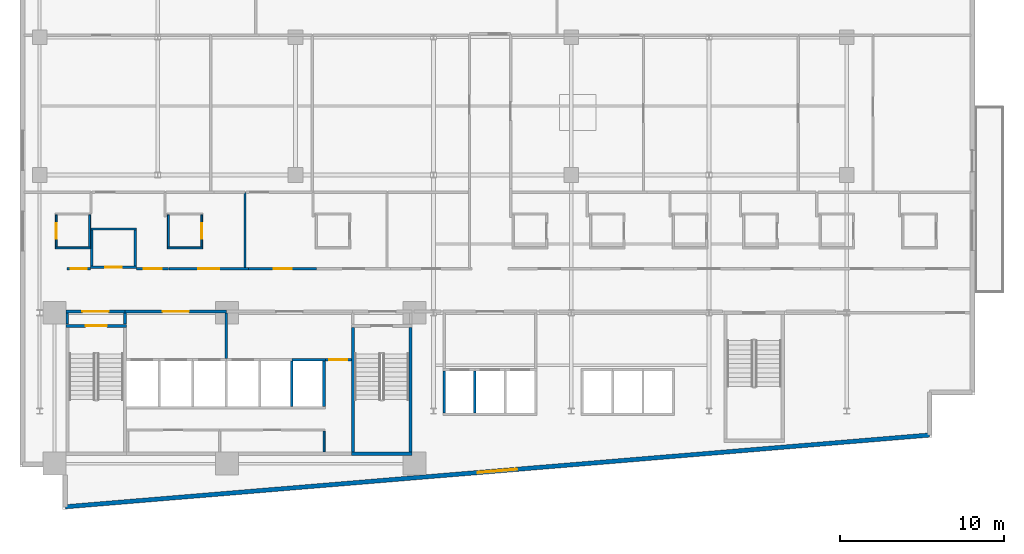
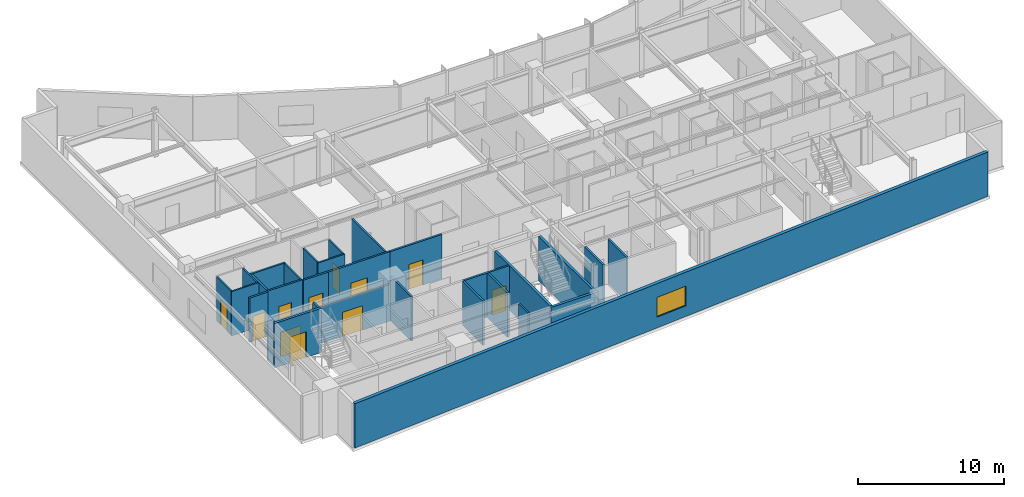
# One storey, part 10 of 19: 32 walls, 11 doors, 1 window, 12 openings.
"""IFC4 building model written with IfcOpenShell, lengths in metres."""

from ifc_helpers import new_model, si_unit, direction, frame, frame_2d, origin, place, context, subcontext, project, spatial, rectangle, extrude, material, layer, layer_set, type_object, element, fill, save


model = new_model("IFC4")

# Units and contexts
model_context = context("Model", 3, precision=1e-05, world=origin(), true_north=direction((0.0, 1.0)))
body_context = subcontext(model_context, "Body", "Model", "MODEL_VIEW")
ifc_project = project(units=[si_unit("LENGTHUNIT", "METRE"), si_unit("AREAUNIT", "SQUARE_METRE"), si_unit("VOLUMEUNIT", "CUBIC_METRE"), si_unit("PLANEANGLEUNIT", "RADIAN"), si_unit("MASSUNIT", "GRAM", prefix="KILO")], contexts=[model_context])

# Site, building, storey
site_placement = place(None, origin())
site = spatial("IfcSite", under=ifc_project, at=site_placement, CompositionType="ELEMENT")
building_placement = place(site_placement, origin())
building = spatial("IfcBuilding", under=site, at=building_placement, Name="Varnakote Quay Hospital", CompositionType="ELEMENT")
storey_placement = place(building_placement, frame((0.0, 0.0, 54.10009765625)))
storey = spatial("IfcBuildingStorey", under=building, at=storey_placement, Name="L13", CompositionType="ELEMENT", Elevation=54.10009765625)

# Wall
ifc_material_1 = material(Name="Fire-rated acoustic gypsum stud wall", Category="gypsum")
ifc_layer_1 = layer(ifc_material_1, 0.159912109375)
ifc_layer_set_1 = layer_set([ifc_layer_1], Name="Fire-rated acoustic gypsum stud wall")
wall_type_1 = type_object("IfcWallType", Name="WL-COMP-160", PredefinedType="PARTITIONING", material=ifc_layer_set_1)
wall_1_placement = place(storey_placement, frame((2.8798828125, 11.300048828125, 0.0), z_axis=(0.0, 0.0, 1.0), x_axis=(0.0, 1.0, 0.0)))
element("IfcWall", 1, at=wall_1_placement, inside=storey, type_object=wall_type_1, Name="L13 West Stair Vestibule West Wall", PredefinedType="PARTITIONING", context=body_context, shape_type="SweptSolid", body=[
    extrude(rectangle(XDim=0.699951171875, YDim=0.159912109375, at=frame_2d((0.35009765625, 0.0))), origin(), (0.0, 0.0, 1.0), 3.7099609375),
])

# Wall, opening, door
wall_2_placement = place(storey_placement, frame((2.800048828125, 12.080078125, 0.0), z_axis=(0.0, 0.0, 1.0), x_axis=(1.0, 0.0, 0.0)))
wall_2 = element("IfcWall", 2, at=wall_2_placement, inside=storey, type_object=wall_type_1, Name="L13 West Stair Vestibule Smoke Wall", PredefinedType="PARTITIONING", context=body_context, shape_type="SweptSolid", body=[
    extrude(rectangle(XDim=3.599853515625, YDim=0.159912109375, at=frame_2d((1.7998046875, 0.0))), origin(), (0.0, 0.0, 1.0), 3.072998046875),
])
opening_1_placement = place(wall_2_placement, frame((1.0, 0.0, 0.0)))
opening_1 = element("IfcOpeningElement", 3, at=opening_1_placement, cuts=wall_2, Name="Opening D-ST1L-L13", PredefinedType="OPENING", context=body_context, shape_type="SweptSolid", body=[
    extrude(rectangle(XDim=1.60009765625, YDim=2.050048828125, at=frame_2d((0.800048828125, 1.02490234375))), frame((0.0, 0.08984375, 0.0), z_axis=(0.0, -1.0, 0.0), x_axis=(1.0, 0.0, 0.0)), (0.0, 0.0, 1.0), 0.179931640625),
])
ifc_material_2 = material(Name="Fire-rated double smoke lobby door")
door_type_1 = type_object("IfcDoorType", Name="DR-LOBBY-FD60S-1600x2150", OperationType="NOTDEFINED", PredefinedType="DOOR", material=ifc_material_2)
door_1_placement = place(opening_1_placement, origin())
door_1 = element("IfcDoor", 4, at=door_1_placement, inside=storey, type_object=door_type_1, Name="L13 West Stair Vestibule Smoke Door", OperationType="DOUBLE_DOOR_SINGLE_SWING", OverallHeight=2.050048828125, OverallWidth=1.60009765625, PredefinedType="DOOR", context=body_context, shape_type="SweptSolid", body=[
    extrude(rectangle(XDim=1.60009765625, YDim=2.050048828125, at=frame_2d((0.800048828125, 1.02490234375))), frame((0.0, 0.02490234375, 0.0), z_axis=(0.0, -1.0, 0.0), x_axis=(1.0, 0.0, 0.0)), (0.0, 0.0, 1.0), 0.050048828125),
])
fill(opening_1, door_1)

# Wall
wall_3_placement = place(storey_placement, frame((6.39990234375, 11.300048828125, 0.0), z_axis=(0.0, 0.0, 1.0), x_axis=(0.0, 1.0, 0.0)))
element("IfcWall", 5, at=wall_3_placement, inside=storey, type_object=wall_type_1, Name="L13 Firefighting Lobby West Wall", PredefinedType="PARTITIONING", context=body_context, shape_type="SweptSolid", body=[
    extrude(rectangle(XDim=0.699951171875, YDim=0.159912109375, at=frame_2d((0.35009765625, 0.0))), origin(), (0.0, 0.0, 1.0), 3.7099609375),
])

# Wall, opening, door
wall_4_placement = place(storey_placement, frame((6.39990234375, 12.080078125, 0.0), z_axis=(0.0, 0.0, 1.0), x_axis=(1.0, 0.0, 0.0)))
wall_4 = element("IfcWall", 6, at=wall_4_placement, inside=storey, type_object=wall_type_1, Name="L13 Firefighting Lift Lobby Compartment Wall", PredefinedType="PARTITIONING", context=body_context, shape_type="SweptSolid", body=[
    extrude(rectangle(XDim=6.18017578125, YDim=0.159912109375, at=frame_2d((3.090087890625, 0.0))), origin(), (0.0, 0.0, 1.0), 3.072998046875),
])
opening_2_placement = place(wall_4_placement, frame((2.2900390625, 0.0, 0.0)))
opening_2 = element("IfcOpeningElement", 7, at=opening_2_placement, cuts=wall_4, Name="Opening D-FFL-L13", PredefinedType="OPENING", context=body_context, shape_type="SweptSolid", body=[
    extrude(rectangle(XDim=1.60009765625, YDim=2.050048828125, at=frame_2d((0.800048828125, 1.02490234375))), frame((0.0, 0.08984375, 0.0), z_axis=(0.0, -1.0, 0.0), x_axis=(1.0, 0.0, 0.0)), (0.0, 0.0, 1.0), 0.179931640625),
])
door_2_placement = place(opening_2_placement, origin())
door_2 = element("IfcDoor", 8, at=door_2_placement, inside=storey, type_object=door_type_1, Name="L13 Firefighting Smoke Vestibule Door", OperationType="DOUBLE_DOOR_SINGLE_SWING", OverallHeight=2.050048828125, OverallWidth=1.60009765625, PredefinedType="DOOR", context=body_context, shape_type="SweptSolid", body=[
    extrude(rectangle(XDim=1.60009765625, YDim=2.050048828125, at=frame_2d((0.800048828125, 1.02490234375))), frame((0.0, 0.02490234375, 0.0), z_axis=(0.0, -1.0, 0.0), x_axis=(1.0, 0.0, 0.0)), (0.0, 0.0, 1.0), 0.050048828125),
])
fill(opening_2, door_2)

# Walls
wall_5_placement = place(storey_placement, frame((12.580078125, 9.2099609375, 0.0), z_axis=(0.0, 0.0, 1.0), x_axis=(0.0, 1.0, 0.0)))
element("IfcWall", 9, at=wall_5_placement, inside=storey, type_object=wall_type_1, Name="L13 Firefighting to Service Lobby Wall", PredefinedType="PARTITIONING", context=body_context, shape_type="SweptSolid", body=[
    extrude(rectangle(XDim=2.7900390625, YDim=0.159912109375, at=frame_2d((1.39501953125, 0.0))), origin(), (0.0, 0.0, 1.0), 3.7099609375),
])
ifc_material_3 = material(Name="Moisture-resistant bathroom partition", Category="gypsum")
ifc_layer_2 = layer(ifc_material_3, 0.114990234375)
ifc_layer_set_2 = layer_set([ifc_layer_2], Name="Moisture-resistant bathroom partition")
wall_type_2 = type_object("IfcWallType", Name="WL-ENS-115", PredefinedType="PARTITIONING", material=ifc_layer_set_2)
wall_6_placement = place(storey_placement, frame((2.155029296875, 15.952392578125, 0.0), z_axis=(0.0, 0.0, 1.0), x_axis=(1.0, 0.0, 0.0)))
element("IfcWall", 10, at=wall_6_placement, inside=storey, type_object=wall_type_2, Name="L13 Inpatient En-Suite Bathroom 01 S Wall", PredefinedType="PARTITIONING", context=body_context, shape_type="SweptSolid", body=[
    extrude(rectangle(XDim=2.14990234375, YDim=0.114990234375, at=frame_2d((1.074951171875, 0.0))), origin(), (0.0, 0.0, 1.0), 3.7099609375),
])

# Wall, opening, door
wall_7_placement = place(storey_placement, frame((2.21240234375, 16.010009765625, 0.0), z_axis=(0.0, 0.0, 1.0), x_axis=(0.0, 1.0, 0.0)))
wall_7 = element("IfcWall", 11, at=wall_7_placement, inside=storey, type_object=wall_type_2, Name="L13 Inpatient En-Suite Bathroom 01 W Wall", PredefinedType="PARTITIONING", context=body_context, shape_type="SweptSolid", body=[
    extrude(rectangle(XDim=1.949951171875, YDim=0.114990234375, at=frame_2d((0.97509765625, 0.0))), origin(), (0.0, 0.0, 1.0), 3.7099609375),
])
opening_3_placement = place(wall_7_placement, frame((0.514892578125, 0.0, 0.0)))
opening_3 = element("IfcOpeningElement", 12, at=opening_3_placement, cuts=wall_7, Name="Opening D-L13-ENS01", PredefinedType="OPENING", context=body_context, shape_type="SweptSolid", body=[
    extrude(rectangle(XDim=0.919921875, YDim=2.10009765625, at=frame_2d((0.4599609375, 1.050048828125))), frame((0.0, 0.0673828125, 0.0), z_axis=(0.0, -1.0, 0.0), x_axis=(1.0, 0.0, 0.0)), (0.0, 0.0, 1.0), 0.135009765625),
])
ifc_material_4 = material(Name="Moisture-sealed en-suite bathroom door")
door_type_2 = type_object("IfcDoorType", Name="DR-ENS-920x2100", OperationType="NOTDEFINED", PredefinedType="DOOR", material=ifc_material_4)
door_3_placement = place(opening_3_placement, origin())
door_3 = element("IfcDoor", 13, at=door_3_placement, inside=storey, type_object=door_type_2, Name="L13 Inpatient En-Suite Bathroom 01 Door", OperationType="SINGLE_SWING_RIGHT", OverallHeight=2.10009765625, OverallWidth=0.919921875, PredefinedType="DOOR", context=body_context, shape_type="SweptSolid", body=[
    extrude(rectangle(XDim=0.919921875, YDim=2.10009765625, at=frame_2d((0.4599609375, 1.050048828125))), frame((0.0, 0.02490234375, 0.0), z_axis=(0.0, -1.0, 0.0), x_axis=(1.0, 0.0, 0.0)), (0.0, 0.0, 1.0), 0.050048828125),
])
fill(opening_3, door_3)

# Walls
wall_8_placement = place(storey_placement, frame((4.24755859375, 16.010009765625, 0.0), z_axis=(0.0, 0.0, 1.0), x_axis=(0.0, 1.0, 0.0)))
element("IfcWall", 14, at=wall_8_placement, inside=storey, type_object=wall_type_2, Name="L13 Inpatient En-Suite Bathroom 01 E Wall", PredefinedType="PARTITIONING", context=body_context, shape_type="SweptSolid", body=[
    extrude(rectangle(XDim=1.949951171875, YDim=0.114990234375, at=frame_2d((0.97509765625, 0.0))), origin(), (0.0, 0.0, 1.0), 3.7099609375),
])
wall_9_placement = place(storey_placement, frame((8.985107421875, 15.952392578125, 0.0), z_axis=(0.0, 0.0, 1.0), x_axis=(1.0, 0.0, 0.0)))
element("IfcWall", 15, at=wall_9_placement, inside=storey, type_object=wall_type_2, Name="L13 Inpatient En-Suite Bathroom 02 S Wall", PredefinedType="PARTITIONING", context=body_context, shape_type="SweptSolid", body=[
    extrude(rectangle(XDim=2.14990234375, YDim=0.114990234375, at=frame_2d((1.074951171875, 0.0))), origin(), (0.0, 0.0, 1.0), 3.7099609375),
])
wall_10_placement = place(storey_placement, frame((9.04248046875, 16.010009765625, 0.0), z_axis=(0.0, 0.0, 1.0), x_axis=(0.0, 1.0, 0.0)))
element("IfcWall", 16, at=wall_10_placement, inside=storey, type_object=wall_type_2, Name="L13 Inpatient En-Suite Bathroom 02 W Wall", PredefinedType="PARTITIONING", context=body_context, shape_type="SweptSolid", body=[
    extrude(rectangle(XDim=1.949951171875, YDim=0.114990234375, at=frame_2d((0.97509765625, 0.0))), origin(), (0.0, 0.0, 1.0), 3.7099609375),
])

# Wall, opening, door
wall_11_placement = place(storey_placement, frame((11.077392578125, 16.010009765625, 0.0), z_axis=(0.0, 0.0, 1.0), x_axis=(0.0, 1.0, 0.0)))
wall_11 = element("IfcWall", 17, at=wall_11_placement, inside=storey, type_object=wall_type_2, Name="L13 Inpatient En-Suite Bathroom 02 E Wall", PredefinedType="PARTITIONING", context=body_context, shape_type="SweptSolid", body=[
    extrude(rectangle(XDim=1.949951171875, YDim=0.114990234375, at=frame_2d((0.97509765625, 0.0))), origin(), (0.0, 0.0, 1.0), 3.7099609375),
])
opening_4_placement = place(wall_11_placement, frame((0.514892578125, 0.0, 0.0)))
opening_4 = element("IfcOpeningElement", 18, at=opening_4_placement, cuts=wall_11, Name="Opening D-L13-ENS02", PredefinedType="OPENING", context=body_context, shape_type="SweptSolid", body=[
    extrude(rectangle(XDim=0.919921875, YDim=2.10009765625, at=frame_2d((0.4599609375, 1.050048828125))), frame((0.0, 0.0673828125, 0.0), z_axis=(0.0, -1.0, 0.0), x_axis=(1.0, 0.0, 0.0)), (0.0, 0.0, 1.0), 0.135009765625),
])
door_4_placement = place(opening_4_placement, origin())
door_4 = element("IfcDoor", 19, at=door_4_placement, inside=storey, type_object=door_type_2, Name="L13 Inpatient En-Suite Bathroom 02 Door", OperationType="SINGLE_SWING_LEFT", OverallHeight=2.10009765625, OverallWidth=0.919921875, PredefinedType="DOOR", context=body_context, shape_type="SweptSolid", body=[
    extrude(rectangle(XDim=0.919921875, YDim=2.10009765625, at=frame_2d((0.4599609375, 1.050048828125))), frame((0.0, 0.02490234375, 0.0), z_axis=(0.0, -1.0, 0.0), x_axis=(1.0, 0.0, 0.0)), (0.0, 0.0, 1.0), 0.050048828125),
])
fill(opening_4, door_4)

# Wall, opening, window
ifc_material_5 = material(Name="Precast concrete N50 (f'c 50 MPa)", Category="concrete")
ifc_layer_3 = layer(ifc_material_5, 0.260009765625)
ifc_layer_set_3 = layer_set([ifc_layer_3], Name="Precast concrete N50 (f'c 50 MPa)")
wall_type_3 = type_object("IfcWallType", Name="WL-EXT-BRICK-260", PredefinedType="STANDARD", material=ifc_layer_set_3)
wall_12_placement = place(storey_placement, frame((2.760009765625, 0.173828125, 0.0), z_axis=(0.0, 0.0, 1.0), x_axis=(0.996571478456, 0.082736257641, 0.0)))
wall_12 = element("IfcWall", 20, at=wall_12_placement, inside=storey, type_object=wall_type_3, Name="L13 Brick-Faced Precast Exterior Wall", PredefinedType="STANDARD", context=body_context, shape_type="SweptSolid", body=[
    extrude(rectangle(XDim=52.861083984375, YDim=0.260009765625, at=frame_2d((26.4306640625, 0.0))), origin(), (0.0, 0.0, 1.0), 3.7099609375),
])
opening_5_placement = place(wall_12_placement, frame((25.230712890625, 0.0, 0.89990234375)))
opening_5 = element("IfcOpeningElement", 21, at=opening_5_placement, cuts=wall_12, Name="Opening WN-0066", PredefinedType="OPENING", context=body_context, shape_type="SweptSolid", body=[
    extrude(rectangle(XDim=2.39990234375, YDim=1.64990234375, at=frame_2d((1.199951171875, 0.824951171875))), frame((0.0, 0.139892578125, 0.0), z_axis=(0.0, -1.0, 0.0), x_axis=(1.0, 0.0, 0.0)), (0.0, 0.0, 1.0), 0.280029296875),
])
ifc_material_6 = material(Name="Double-glazed low-E solar glass", Category="glass")
window_type = type_object("IfcWindowType", Name="WIN-CLIN-2400x1650", PartitioningType="SINGLE_PANEL", PredefinedType="WINDOW", material=ifc_material_6)
window_placement = place(opening_5_placement, origin())
window = element("IfcWindow", 22, at=window_placement, inside=storey, type_object=window_type, Name="L13 Solar-Control Clinical Window", OverallHeight=1.64990234375, OverallWidth=2.39990234375, PartitioningType="SINGLE_PANEL", PredefinedType="WINDOW", context=body_context, shape_type="SweptSolid", body=[
    extrude(rectangle(XDim=2.39990234375, YDim=1.64990234375, at=frame_2d((1.199951171875, 0.824951171875))), frame((0.0, 0.030029296875, 0.0), z_axis=(0.0, -1.0, 0.0), x_axis=(1.0, 0.0, 0.0)), (0.0, 0.0, 1.0), 0.06005859375),
])
fill(opening_5, window)

# Walls
ifc_material_7 = material(Name="Concrete N50 (f'c 50 MPa)", Category="concrete")
ifc_layer_4 = layer(ifc_material_7, 0.14990234375)
ifc_layer_set_4 = layer_set([ifc_layer_4], Name="Concrete N50 (f'c 50 MPa)")
wall_type_4 = type_object("IfcWallType", Name="WL-SHAFT-N50-150", PredefinedType="SHEAR", material=ifc_layer_set_4)
wall_13_placement = place(storey_placement, frame((16.574951171875, 6.300048828125, 0.0), z_axis=(0.0, 0.0, 1.0), x_axis=(0.0, 1.0, 0.0)))
element("IfcWall", 23, at=wall_13_placement, inside=storey, type_object=wall_type_4, Name="L13 LF-PH1 Hoistway Divider Wall", PredefinedType="SHEAR", context=body_context, shape_type="SweptSolid", body=[
    extrude(rectangle(XDim=2.75, YDim=0.14990234375, at=frame_2d((1.375, 0.0))), origin(), (0.0, 0.0, 1.0), 3.7099609375),
])
wall_14_placement = place(storey_placement, frame((27.72509765625, 5.89990234375, 0.0), z_axis=(0.0, 0.0, 1.0), x_axis=(0.0, 1.0, 0.0)))
element("IfcWall", 24, at=wall_14_placement, inside=storey, type_object=wall_type_4, Name="L13 LF-PL1 Hoistway Divider Wall", PredefinedType="SHEAR", context=body_context, shape_type="SweptSolid", body=[
    extrude(rectangle(XDim=2.550048828125, YDim=0.14990234375, at=frame_2d((1.27490234375, 0.0))), origin(), (0.0, 0.0, 1.0), 3.7099609375),
])
ifc_material_8 = material(Name="Concrete N50 (f'c 50 MPa)", Category="concrete")
ifc_layer_5 = layer(ifc_material_8, 0.159912109375)
ifc_layer_set_5 = layer_set([ifc_layer_5], Name="Concrete N50 (f'c 50 MPa)")
wall_type_5 = type_object("IfcWallType", Name="WL-SHAFT-N50-160", PredefinedType="SHEAR", material=ifc_layer_set_5)
wall_15_placement = place(storey_placement, frame((18.530029296875, 6.300048828125, 0.0), z_axis=(0.0, 0.0, 1.0), x_axis=(0.0, 1.0, 0.0)))
element("IfcWall", 25, at=wall_15_placement, inside=storey, type_object=wall_type_5, Name="L13 REAR Lift Bank East Shear Wall", PredefinedType="SHEAR", context=body_context, shape_type="SweptSolid", body=[
    extrude(rectangle(XDim=2.75, YDim=0.159912109375, at=frame_2d((1.375, 0.0))), origin(), (0.0, 0.0, 1.0), 3.7099609375),
])
wall_16_placement = place(storey_placement, frame((16.574951171875, 9.1298828125, 0.0), z_axis=(0.0, 0.0, 1.0), x_axis=(1.0, 0.0, 0.0)))
element("IfcWall", 26, at=wall_16_placement, inside=storey, type_object=wall_type_5, Name="L13 LF-PH2 Hoistway Front Wall", PredefinedType="SHEAR", context=body_context, shape_type="SweptSolid", body=[
    extrude(rectangle(XDim=2.03515625, YDim=0.159912109375, at=frame_2d((1.017578125, 0.0))), origin(), (0.0, 0.0, 1.0), 3.7099609375),
])
wall_17_placement = place(storey_placement, frame((25.8701171875, 5.89990234375, 0.0), z_axis=(0.0, 0.0, 1.0), x_axis=(0.0, 1.0, 0.0)))
element("IfcWall", 27, at=wall_17_placement, inside=storey, type_object=wall_type_5, Name="L13 LOW Lift Bank West Shear Wall", PredefinedType="SHEAR", context=body_context, shape_type="SweptSolid", body=[
    extrude(rectangle(XDim=2.550048828125, YDim=0.159912109375, at=frame_2d((1.27490234375, 0.0))), origin(), (0.0, 0.0, 1.0), 3.7099609375),
])

# Wall, opening, door
ifc_material_9 = material(Name="Concrete N50 (f'c 50 MPa)", Category="concrete")
ifc_layer_6 = layer(ifc_material_9, 0.199951171875)
ifc_layer_set_6 = layer_set([ifc_layer_6], Name="Concrete N50 (f'c 50 MPa)")
wall_type_6 = type_object("IfcWallType", Name="WL-SHAFT-N50-200", PredefinedType="SHEAR", material=ifc_layer_set_6)
wall_18_placement = place(storey_placement, frame((2.800048828125, 11.199951171875, 0.0), z_axis=(0.0, 0.0, 1.0), x_axis=(1.0, 0.0, 0.0)))
wall_18 = element("IfcWall", 28, at=wall_18_placement, inside=storey, type_object=wall_type_6, Name="L13 Stair ST1 Exit Wall", PredefinedType="SHEAR", context=body_context, shape_type="SweptSolid", body=[
    extrude(rectangle(XDim=3.699951171875, YDim=0.199951171875, at=frame_2d((1.85009765625, 0.0))), origin(), (0.0, 0.0, 1.0), 3.7099609375),
])
opening_6_placement = place(wall_18_placement, frame((1.199951171875, 0.0, 0.0)))
opening_6 = element("IfcOpeningElement", 29, at=opening_6_placement, cuts=wall_18, Name="Opening D-ST1-L13", PredefinedType="OPENING", context=body_context, shape_type="SweptSolid", body=[
    extrude(rectangle(XDim=1.300048828125, YDim=2.14990234375, at=frame_2d((0.64990234375, 1.074951171875))), frame((0.0, 0.10986328125, 0.0), z_axis=(0.0, -1.0, 0.0), x_axis=(1.0, 0.0, 0.0)), (0.0, 0.0, 1.0), 0.219970703125),
])
ifc_material_10 = material(Name="Fire-rated ceramic-glazed timber exit door", Category="wood")
door_type_3 = type_object("IfcDoorType", Name="DR-STAIR-FD60S-1300x2150", OperationType="NOTDEFINED", PredefinedType="DOOR", material=ifc_material_10)
door_5_placement = place(opening_6_placement, origin())
door_5 = element("IfcDoor", 30, at=door_5_placement, inside=storey, type_object=door_type_3, Name="L13 Stair ST1 Fire Exit Door", OperationType="SINGLE_SWING_LEFT", OverallHeight=2.14990234375, OverallWidth=1.300048828125, PredefinedType="DOOR", context=body_context, shape_type="SweptSolid", body=[
    extrude(rectangle(XDim=1.300048828125, YDim=2.14990234375, at=frame_2d((0.64990234375, 1.074951171875))), frame((0.0, 0.02490234375, 0.0), z_axis=(0.0, -1.0, 0.0), x_axis=(1.0, 0.0, 0.0)), (0.0, 0.0, 1.0), 0.050048828125),
])
fill(opening_6, door_5)

# Walls
wall_19_placement = place(storey_placement, frame((20.199951171875, 3.39990234375, 0.0), z_axis=(0.0, 0.0, 1.0), x_axis=(1.0, 0.0, 0.0)))
element("IfcWall", 31, at=wall_19_placement, inside=storey, type_object=wall_type_6, Name="L13 Stair ST2 South Shaft Wall", PredefinedType="SHEAR", context=body_context, shape_type="SweptSolid", body=[
    extrude(rectangle(XDim=3.699951171875, YDim=0.199951171875, at=frame_2d((1.85009765625, 0.0))), origin(), (0.0, 0.0, 1.0), 3.7099609375),
])
for number, where, z_axis, x_axis, name in (
    (32, (20.300048828125, 3.5, 0.0), (0.0, 0.0, 1.0), (0.0, 1.0, 0.0), "L13 Stair ST2 West Shaft Wall"),
    (33, (23.800048828125, 3.5, 0.0), (0.0, 0.0, 1.0), (0.0, 1.0, 0.0), "L13 Stair ST2 East Shaft Wall"),
):
    element("IfcWall", number, at=place(storey_placement, frame(where, z_axis=z_axis, x_axis=x_axis)), inside=storey, type_object=wall_type_6, Name=name, PredefinedType="SHEAR", context=body_context, shape_type="SweptSolid", body=[
        extrude(rectangle(XDim=7.60009765625, YDim=0.199951171875, at=frame_2d((3.800048828125, 0.0))), origin(), (0.0, 0.0, 1.0), 3.7099609375),
    ])
ifc_material_11 = material(Name="Smoke-proof clinical partition", Category="gypsum")
ifc_layer_7 = layer(ifc_material_11, 0.1201171875)
ifc_layer_set_7 = layer_set([ifc_layer_7], Name="Smoke-proof clinical partition")
wall_type_7 = type_object("IfcWallType", Name="WL-SMOKE-120", PredefinedType="PARTITIONING", material=ifc_layer_set_7)
wall_20_placement = place(storey_placement, frame((18.5400390625, 3.52001953125, 0.0), z_axis=(0.0, 0.0, 1.0), x_axis=(0.0, 1.0, 0.0)))
element("IfcWall", 34, at=wall_20_placement, inside=storey, type_object=wall_type_7, Name="L13 Core South Service East Wall", PredefinedType="PARTITIONING", context=body_context, shape_type="SweptSolid", body=[
    extrude(rectangle(XDim=1.260009765625, YDim=0.1201171875, at=frame_2d((0.6298828125, 0.0))), origin(), (0.0, 0.0, 1.0), 3.7099609375),
])
ifc_material_12 = material(Name="Smoke-proof clinical partition", Category="gypsum")
ifc_layer_8 = layer(ifc_material_12, 0.135009765625)
ifc_layer_set_8 = layer_set([ifc_layer_8], Name="Smoke-proof clinical partition")
wall_type_8 = type_object("IfcWallType", Name="WL-SMOKE-135", PredefinedType="PARTITIONING", material=ifc_layer_set_8)
wall_21_placement = place(storey_placement, frame((13.7099609375, 14.760009765625, 0.0), z_axis=(0.0, 0.0, 1.0), x_axis=(0.0, 1.0, 0.0)))
element("IfcWall", 35, at=wall_21_placement, inside=storey, type_object=wall_type_8, Name="L13 Clinical Interior Partition", PredefinedType="PARTITIONING", context=body_context, shape_type="SweptSolid", body=[
    extrude(rectangle(XDim=4.580078125, YDim=0.135009765625, at=frame_2d((2.2900390625, 0.0))), origin(), (0.0, 0.0, 1.0), 3.7099609375),
])

# Wall, opening, door
ifc_material_13 = material(Name="Fire-rated clinical gypsum partition", Category="gypsum")
ifc_layer_9 = layer(ifc_material_13, 0.139892578125)
ifc_layer_set_9 = layer_set([ifc_layer_9], Name="Fire-rated clinical gypsum partition")
wall_type_9 = type_object("IfcWallType", Name="WL-WARD-140", PredefinedType="PARTITIONING", material=ifc_layer_set_9)
wall_22_placement = place(storey_placement, frame((18.610107421875, 9.1298828125, 0.0), z_axis=(0.0, 0.0, 1.0), x_axis=(1.0, 0.0, 0.0)))
wall_22 = element("IfcWall", 36, at=wall_22_placement, inside=storey, type_object=wall_type_9, Name="L13 Core Service Corridor North Door Wall", PredefinedType="PARTITIONING", context=body_context, shape_type="SweptSolid", body=[
    extrude(rectangle(XDim=1.58984375, YDim=0.139892578125, at=frame_2d((0.794921875, 0.0))), origin(), (0.0, 0.0, 1.0), 3.7099609375),
])
opening_7_placement = place(wall_22_placement, frame((0.239990234375, 0.0, 0.0)))
opening_7 = element("IfcOpeningElement", 37, at=opening_7_placement, cuts=wall_22, Name="Opening D-CSRV-L13", PredefinedType="OPENING", context=body_context, shape_type="SweptSolid", body=[
    extrude(rectangle(XDim=1.10009765625, YDim=2.10009765625, at=frame_2d((0.550048828125, 1.050048828125))), frame((0.0, 0.079833984375, 0.0), z_axis=(0.0, -1.0, 0.0), x_axis=(1.0, 0.0, 0.0)), (0.0, 0.0, 1.0), 0.159912109375),
])
ifc_material_14 = material(Name="Acoustic timber clinical consult door", Category="wood")
door_type_4 = type_object("IfcDoorType", Name="DR-CLIN-FD30S-1100x2100", OperationType="NOTDEFINED", PredefinedType="DOOR", material=ifc_material_14)
door_6_placement = place(opening_7_placement, origin())
door_6 = element("IfcDoor", 38, at=door_6_placement, inside=storey, type_object=door_type_4, Name="L13 Core Service Corridor Door", OperationType="SINGLE_SWING_RIGHT", OverallHeight=2.10009765625, OverallWidth=1.10009765625, PredefinedType="DOOR", context=body_context, shape_type="SweptSolid", body=[
    extrude(rectangle(XDim=1.10009765625, YDim=2.10009765625, at=frame_2d((0.550048828125, 1.050048828125))), frame((0.0, 0.02490234375, 0.0), z_axis=(0.0, -1.0, 0.0), x_axis=(1.0, 0.0, 0.0)), (0.0, 0.0, 1.0), 0.050048828125),
])
fill(opening_7, door_6)

wall_23_placement = place(storey_placement, frame((4.31005859375, 14.77001953125, 0.0), z_axis=(0.0, 0.0, 1.0), x_axis=(1.0, 0.0, 0.0)))
wall_23 = element("IfcWall", 39, at=wall_23_placement, inside=storey, type_object=wall_type_9, Name="L13 Floor Unisex Accessible WC S Wall", PredefinedType="PARTITIONING", context=body_context, shape_type="SweptSolid", body=[
    extrude(rectangle(XDim=2.780029296875, YDim=0.139892578125, at=frame_2d((1.39013671875, 0.0))), origin(), (0.0, 0.0, 1.0), 3.7099609375),
])
opening_8_placement = place(wall_23_placement, frame((0.89990234375, 0.0, 0.0)))
opening_8 = element("IfcOpeningElement", 40, at=opening_8_placement, cuts=wall_23, Name="Opening D-L13-EW01", PredefinedType="OPENING", context=body_context, shape_type="SweptSolid", body=[
    extrude(rectangle(XDim=0.97998046875, YDim=2.10009765625, at=frame_2d((0.489990234375, 1.050048828125))), frame((0.0, 0.079833984375, 0.0), z_axis=(0.0, -1.0, 0.0), x_axis=(1.0, 0.0, 0.0)), (0.0, 0.0, 1.0), 0.159912109375),
])
ifc_material_15 = material(Name="Accessible sanitary compartment door")
door_type_5 = type_object("IfcDoorType", Name="DR-WC-980x2100", OperationType="NOTDEFINED", PredefinedType="DOOR", material=ifc_material_15)
door_7_placement = place(opening_8_placement, origin())
door_7 = element("IfcDoor", 41, at=door_7_placement, inside=storey, type_object=door_type_5, Name="L13 Floor Unisex Accessible WC Door", OperationType="SINGLE_SWING_LEFT", OverallHeight=2.10009765625, OverallWidth=0.97998046875, PredefinedType="DOOR", context=body_context, shape_type="SweptSolid", body=[
    extrude(rectangle(XDim=0.97998046875, YDim=2.10009765625, at=frame_2d((0.489990234375, 1.050048828125))), frame((0.0, 0.02490234375, 0.0), z_axis=(0.0, -1.0, 0.0), x_axis=(1.0, 0.0, 0.0)), (0.0, 0.0, 1.0), 0.050048828125),
])
fill(opening_8, door_7)

# Walls
wall_24_placement = place(storey_placement, frame((4.31005859375, 17.110107421875, 0.0), z_axis=(0.0, 0.0, 1.0), x_axis=(1.0, 0.0, 0.0)))
element("IfcWall", 42, at=wall_24_placement, inside=storey, type_object=wall_type_9, Name="L13 Floor Unisex Accessible WC N Wall", PredefinedType="PARTITIONING", context=body_context, shape_type="SweptSolid", body=[
    extrude(rectangle(XDim=2.780029296875, YDim=0.139892578125, at=frame_2d((1.39013671875, 0.0))), origin(), (0.0, 0.0, 1.0), 3.7099609375),
])
for number, where, z_axis, x_axis, name in (
    (43, (4.3798828125, 14.840087890625, 0.0), (0.0, 0.0, 1.0), (0.0, 1.0, 0.0), "L13 Floor Unisex Accessible WC W Wall"),
    (44, (7.02001953125, 14.840087890625, 0.0), (0.0, 0.0, 1.0), (0.0, 1.0, 0.0), "L13 Floor Unisex Accessible WC E Wall"),
):
    element("IfcWall", number, at=place(storey_placement, frame(where, z_axis=z_axis, x_axis=x_axis)), inside=storey, type_object=wall_type_9, Name=name, PredefinedType="PARTITIONING", context=body_context, shape_type="SweptSolid", body=[
        extrude(rectangle(XDim=2.199951171875, YDim=0.139892578125, at=frame_2d((1.10009765625, 0.0))), origin(), (0.0, 0.0, 1.0), 3.7099609375),
    ])

# Wall, opening, door
ifc_material_16 = material(Name="Fire-rated clinical gypsum partition", Category="gypsum")
ifc_layer_10 = layer(ifc_material_16, 0.14990234375)
ifc_layer_set_10 = layer_set([ifc_layer_10], Name="Fire-rated clinical gypsum partition")
wall_type_10 = type_object("IfcWallType", Name="WL-WARD-150", PredefinedType="PARTITIONING", material=ifc_layer_set_10)
wall_25_placement = place(storey_placement, frame((4.30810546875, 14.679931640625, 0.0), z_axis=(0.0, 0.0, 1.0), x_axis=(-1.0, 0.0, 0.0)))
wall_25 = element("IfcWall", 45, at=wall_25_placement, inside=storey, type_object=wall_type_10, Name="L13 Clinical Interior Partition", PredefinedType="PARTITIONING", context=body_context, shape_type="SweptSolid", body=[
    extrude(rectangle(XDim=1.4580078125, YDim=0.14990234375, at=frame_2d((0.72900390625, 0.0))), origin(), (0.0, 0.0, 1.0), 3.7099609375),
])
opening_9_placement = place(wall_25_placement, frame((0.239013671875, 0.0, 0.0)))
opening_9 = element("IfcOpeningElement", 46, at=opening_9_placement, cuts=wall_25, Name="Opening D-L13-BR01", PredefinedType="OPENING", context=body_context, shape_type="SweptSolid", body=[
    extrude(rectangle(XDim=0.97998046875, YDim=2.10009765625, at=frame_2d((0.489990234375, 1.050048828125))), frame((0.0, 0.0849609375, 0.0), z_axis=(0.0, -1.0, 0.0), x_axis=(1.0, 0.0, 0.0)), (0.0, 0.0, 1.0), 0.169921875),
])
door_8_placement = place(opening_9_placement, origin())
door_8 = element("IfcDoor", 47, at=door_8_placement, inside=storey, type_object=door_type_5, Name="L13 Resident Care Bedroom 01 Door", OperationType="SINGLE_SWING_RIGHT", OverallHeight=2.10009765625, OverallWidth=0.97998046875, PredefinedType="DOOR", context=body_context, shape_type="SweptSolid", body=[
    extrude(rectangle(XDim=0.97998046875, YDim=2.10009765625, at=frame_2d((0.489990234375, 1.050048828125))), frame((0.0, 0.02490234375, 0.0), z_axis=(0.0, -1.0, 0.0), x_axis=(1.0, 0.0, 0.0)), (0.0, 0.0, 1.0), 0.050048828125),
])
fill(opening_9, door_8)

wall_26_placement = place(storey_placement, frame((9.06591796875, 14.679931640625, 0.0), z_axis=(0.0, 0.0, 1.0), x_axis=(-1.0, 0.0, 0.0)))
wall_26 = element("IfcWall", 48, at=wall_26_placement, inside=storey, type_object=wall_type_10, Name="L13 Clinical Interior Partition", PredefinedType="PARTITIONING", context=body_context, shape_type="SweptSolid", body=[
    extrude(rectangle(XDim=1.973876953125, YDim=0.14990234375, at=frame_2d((0.98681640625, 0.0))), origin(), (0.0, 0.0, 1.0), 3.7099609375),
])
opening_10_placement = place(wall_26_placement, frame((0.43701171875, 0.0, 0.0)))
opening_10 = element("IfcOpeningElement", 49, at=opening_10_placement, cuts=wall_26, Name="Opening D-L13-MD01", PredefinedType="OPENING", context=body_context, shape_type="SweptSolid", body=[
    extrude(rectangle(XDim=1.10009765625, YDim=2.10009765625, at=frame_2d((0.550048828125, 1.050048828125))), frame((0.0, 0.0849609375, 0.0), z_axis=(0.0, -1.0, 0.0), x_axis=(1.0, 0.0, 0.0)), (0.0, 0.0, 1.0), 0.169921875),
])
door_9_placement = place(opening_10_placement, origin())
door_9 = element("IfcDoor", 50, at=door_9_placement, inside=storey, type_object=door_type_4, Name="L13 Multidisciplinary Clinical Consultation Suite Door", OperationType="SINGLE_SWING_LEFT", OverallHeight=2.10009765625, OverallWidth=1.10009765625, PredefinedType="DOOR", context=body_context, shape_type="SweptSolid", body=[
    extrude(rectangle(XDim=1.10009765625, YDim=2.10009765625, at=frame_2d((0.550048828125, 1.050048828125))), frame((0.0, 0.02490234375, 0.0), z_axis=(0.0, -1.0, 0.0), x_axis=(1.0, 0.0, 0.0)), (0.0, 0.0, 1.0), 0.050048828125),
])
fill(opening_10, door_9)

wall_27_placement = place(storey_placement, frame((13.93603515625, 14.679931640625, 0.0), z_axis=(0.0, 0.0, 1.0), x_axis=(-1.0, 0.0, 0.0)))
wall_27 = element("IfcWall", 51, at=wall_27_placement, inside=storey, type_object=wall_type_10, Name="L13 Clinical Interior Partition", PredefinedType="PARTITIONING", context=body_context, shape_type="SweptSolid", body=[
    extrude(rectangle(XDim=4.867919921875, YDim=0.14990234375, at=frame_2d((2.43408203125, 0.0))), origin(), (0.0, 0.0, 1.0), 3.7099609375),
])
opening_11_placement = place(wall_27_placement, frame((1.783935546875, 0.0, 0.0)))
opening_11 = element("IfcOpeningElement", 52, at=opening_11_placement, cuts=wall_27, Name="Opening D-L13-BR02", PredefinedType="OPENING", context=body_context, shape_type="SweptSolid", body=[
    extrude(rectangle(XDim=1.300048828125, YDim=2.14990234375, at=frame_2d((0.64990234375, 1.074951171875))), frame((0.0, 0.0849609375, 0.0), z_axis=(0.0, -1.0, 0.0), x_axis=(1.0, 0.0, 0.0)), (0.0, 0.0, 1.0), 0.169921875),
])
ifc_material_17 = material(Name="Solid-core timber clinical bed door", Category="wood")
door_type_6 = type_object("IfcDoorType", Name="DR-WARD-FD30S-1300x2150", OperationType="NOTDEFINED", PredefinedType="DOOR", material=ifc_material_17)
door_10_placement = place(opening_11_placement, origin())
door_10 = element("IfcDoor", 53, at=door_10_placement, inside=storey, type_object=door_type_6, Name="L13 Resident Care Bedroom 02 Door", OperationType="SINGLE_SWING_RIGHT", OverallHeight=2.14990234375, OverallWidth=1.300048828125, PredefinedType="DOOR", context=body_context, shape_type="SweptSolid", body=[
    extrude(rectangle(XDim=1.300048828125, YDim=2.14990234375, at=frame_2d((0.64990234375, 1.074951171875))), frame((0.0, 0.02490234375, 0.0), z_axis=(0.0, -1.0, 0.0), x_axis=(1.0, 0.0, 0.0)), (0.0, 0.0, 1.0), 0.050048828125),
])
fill(opening_11, door_10)

wall_28_placement = place(storey_placement, frame((18.0859375, 14.679931640625, 0.0), z_axis=(0.0, 0.0, 1.0), x_axis=(-1.0, 0.0, 0.0)))
wall_28 = element("IfcWall", 54, at=wall_28_placement, inside=storey, type_object=wall_type_10, Name="L13 Clinical Interior Partition", PredefinedType="PARTITIONING", context=body_context, shape_type="SweptSolid", body=[
    extrude(rectangle(XDim=4.14794921875, YDim=0.14990234375, at=frame_2d((2.073974609375, 0.0))), origin(), (0.0, 0.0, 1.0), 3.7099609375),
])
opening_12_placement = place(wall_28_placement, frame((1.52392578125, 0.0, 0.0)))
opening_12 = element("IfcOpeningElement", 55, at=opening_12_placement, cuts=wall_28, Name="Opening D-L13-MD02", PredefinedType="OPENING", context=body_context, shape_type="SweptSolid", body=[
    extrude(rectangle(XDim=1.10009765625, YDim=2.10009765625, at=frame_2d((0.550048828125, 1.050048828125))), frame((0.0, 0.0849609375, 0.0), z_axis=(0.0, -1.0, 0.0), x_axis=(1.0, 0.0, 0.0)), (0.0, 0.0, 1.0), 0.169921875),
])
door_11_placement = place(opening_12_placement, origin())
door_11 = element("IfcDoor", 56, at=door_11_placement, inside=storey, type_object=door_type_4, Name="L13 Ward Clinical Governance Office Door", OperationType="SINGLE_SWING_LEFT", OverallHeight=2.10009765625, OverallWidth=1.10009765625, PredefinedType="DOOR", context=body_context, shape_type="SweptSolid", body=[
    extrude(rectangle(XDim=1.10009765625, YDim=2.10009765625, at=frame_2d((0.550048828125, 1.050048828125))), frame((0.0, 0.02490234375, 0.0), z_axis=(0.0, -1.0, 0.0), x_axis=(1.0, 0.0, 0.0)), (0.0, 0.0, 1.0), 0.050048828125),
])
fill(opening_12, door_11)

save(model, "model.ifc")
